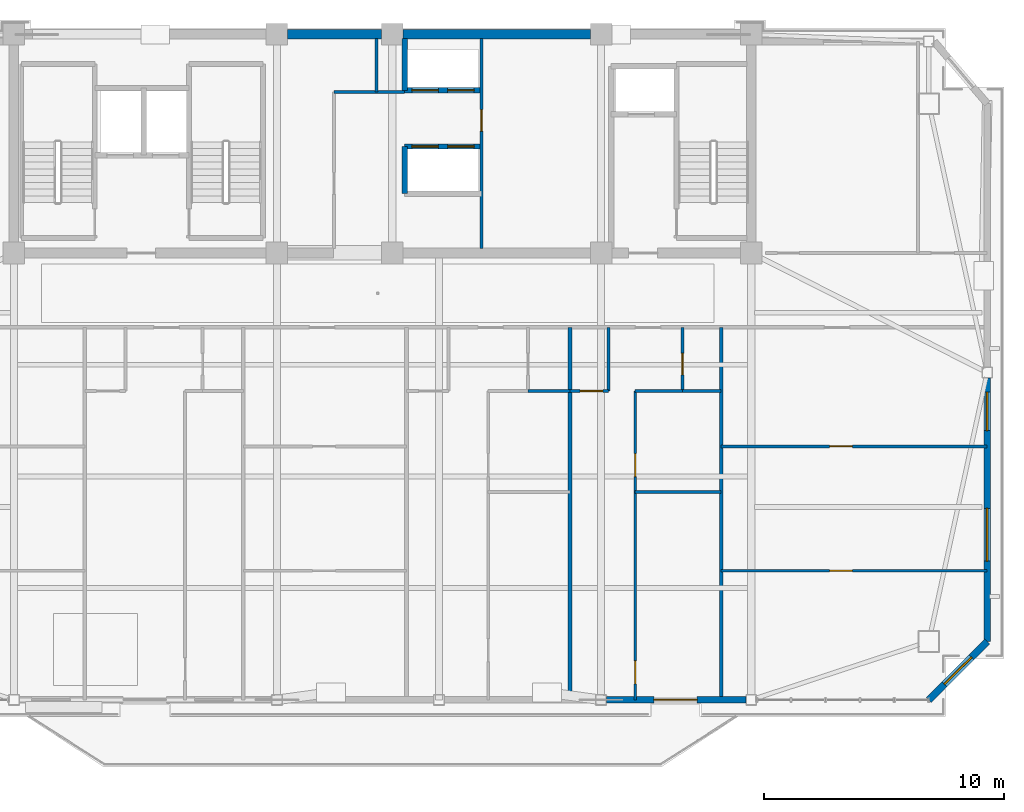
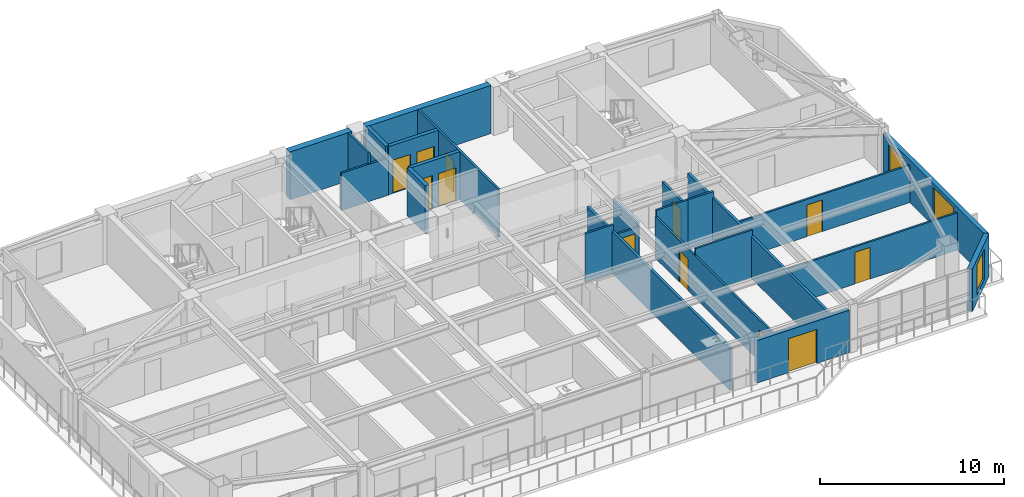
# One storey, part 9 of 15: 24 walls, 12 doors, 3 windows, 15 openings.
"""IFC4 building model written with IfcOpenShell, lengths in metres."""

import ifcopenshell
import ifcopenshell.guid

model = None  # the IFC model being written
_history = None  # IfcOwnerHistory: only IFC2X3 demands one
_inside = {}  # id of a spatial element -> (the spatial element, [elements in it])
_under = {}  # id of a project, library or spatial element -> (it, [spatial elements below it])
_declared = {}  # id of a project -> (the project, [libraries it declares])
_typed = {}  # id of a type object -> (the type object, [elements of that type])
_made_of = {}  # id of a material, layer set ... -> (it, [elements and type objects made of it])


def new_model(schema):
    """Start an empty IFC model of exactly this schema.

    Asked for "IFC4X3", IfcOpenShell would pick the latest addendum, in which some entities
    have other attributes; the version numbers below select the first issue.
    IFC2X3 requires an IfcOwnerHistory on every rooted entity: one is made here for all.
    """
    global model, _history
    if schema == "IFC4X3":
        model = ifcopenshell.file(schema_version=(4, 3, 0, 0))
    else:
        model = ifcopenshell.file(schema=schema)
    _inside.clear()
    _under.clear()
    _declared.clear()
    _typed.clear()
    _made_of.clear()
    _history = None
    if model.schema == "IFC2X3":
        org = make("IfcOrganization", Name="unknown")
        user = make(
            "IfcPersonAndOrganization",
            ThePerson=make("IfcPerson", FamilyName="unknown"),
            TheOrganization=org,
        )
        app = make(
            "IfcApplication",
            ApplicationDeveloper=org,
            Version="unknown",
            ApplicationFullName="unknown",
            ApplicationIdentifier="unknown",
        )
        _history = make(
            "IfcOwnerHistory",
            OwningUser=user,
            OwningApplication=app,
            ChangeAction="ADDED",
            CreationDate=0,
        )
    return model


def make(cls, **values):
    """One entity of the class cls with the attributes given. An attribute that is None is left unset."""
    return model.create_entity(
        cls, **{name: value for name, value in values.items() if value is not None}
    )


def rooted(cls, **values):
    """An entity with a GlobalId (a new one), such as an element, a storey or a relation."""
    return make(cls, GlobalId=ifcopenshell.guid.new(), OwnerHistory=_history, **values)


def si_unit(unit_type, name, prefix=None):
    """IfcSIUnit, for example si_unit("LENGTHUNIT", "METRE", prefix="MILLI")."""
    return make("IfcSIUnit", UnitType=unit_type, Prefix=prefix, Name=name)


def assignment(units):
    """IfcUnitAssignment: the units of a project."""
    return None if units is None else make("IfcUnitAssignment", Units=units)


def point(xyz):
    """IfcCartesianPoint."""
    return None if xyz is None else make("IfcCartesianPoint", Coordinates=xyz)


def direction(xyz):
    """IfcDirection."""
    return None if xyz is None else make("IfcDirection", DirectionRatios=xyz)


def frame(location, z_axis=None, x_axis=None):
    """IfcAxis2Placement3D, a coordinate frame: its origin and axes. An axis left out is left unset."""
    return make(
        "IfcAxis2Placement3D",
        Location=point(location),
        Axis=direction(z_axis),
        RefDirection=direction(x_axis),
    )


def frame_2d(location, x_axis=None):
    """IfcAxis2Placement2D, a coordinate frame in the plane: its origin and x axis."""
    return make(
        "IfcAxis2Placement2D", Location=point(location), RefDirection=direction(x_axis)
    )


def origin():
    """The frame at (0, 0, 0) with its axes left unset."""
    return frame((0.0, 0.0, 0.0))


def place(relative_to, where):
    """IfcLocalPlacement: puts the frame where relative to a parent placement (None: the world)."""
    return make(
        "IfcLocalPlacement", PlacementRelTo=relative_to, RelativePlacement=where
    )


def context(
    kind, dimensions, precision=None, world=None, true_north=None, identifier=None
):
    """IfcGeometricRepresentationContext, for example the 3D "Model" context."""
    return make(
        "IfcGeometricRepresentationContext",
        ContextIdentifier=identifier,
        ContextType=kind,
        CoordinateSpaceDimension=dimensions,
        Precision=precision,
        WorldCoordinateSystem=world,
        TrueNorth=true_north,
    )


def subcontext(parent, identifier, kind, view, scale=None):
    """IfcGeometricRepresentationSubContext, for example "Body" below "Model"."""
    return make(
        "IfcGeometricRepresentationSubContext",
        ContextIdentifier=identifier,
        ContextType=kind,
        ParentContext=parent,
        TargetScale=scale,
        TargetView=view,
    )


def project(units=None, contexts=None):
    """IfcProject with its units and contexts."""
    return rooted(
        "IfcProject",
        Name="project",
        RepresentationContexts=contexts,
        UnitsInContext=assignment(units),
    )


def spatial(cls, under=None, at=None, **own):
    """A site, building, storey or space (cls), placed at a placement, below another one or the project."""
    s = rooted(cls, ObjectPlacement=at, **own)
    if under is not None:
        _under.setdefault(under.id(), (under, []))[1].append(s)
    return s


def profile(cls, at=None, kind="AREA", **sizes):
    """A parametric profile (cls). Its sizes go by their IFC names, for example OverallWidth=200.0."""
    return make(cls, ProfileType=kind, Position=at, **sizes)


def rectangle(**sizes):
    """IfcRectangleProfileDef."""
    return profile("IfcRectangleProfileDef", **sizes)


def extrude(swept, where, along, depth):
    """IfcExtrudedAreaSolid: the profile swept, set in the frame where, extruded along a direction by depth."""
    return make(
        "IfcExtrudedAreaSolid",
        SweptArea=swept,
        Position=where,
        ExtrudedDirection=direction(along),
        Depth=depth,
    )


def shape(context_of_items, identifier, shape_type, items):
    """IfcShapeRepresentation: the items that make up one representation, for example the "Body"."""
    return make(
        "IfcShapeRepresentation",
        ContextOfItems=context_of_items,
        RepresentationIdentifier=identifier,
        RepresentationType=shape_type,
        Items=items,
    )


def source(mapping_origin, context_of_items, identifier, shape_type, items):
    """IfcRepresentationMap: a shape defined once, which mapped items show again and again."""
    return make(
        "IfcRepresentationMap",
        MappingOrigin=mapping_origin,
        MappedRepresentation=shape(context_of_items, identifier, shape_type, items),
    )


def transform(
    local_origin,
    x_axis=None,
    y_axis=None,
    z_axis=None,
    scale=None,
    scale2=None,
    scale3=None,
    uniform=True,
):
    """IfcCartesianTransformationOperator3D, or its non-uniform kind. x_axis, y_axis, z_axis: its Axis1, 2, 3."""
    if uniform:
        return make(
            "IfcCartesianTransformationOperator3D",
            Axis1=direction(x_axis),
            Axis2=direction(y_axis),
            LocalOrigin=point(local_origin),
            Scale=scale,
            Axis3=direction(z_axis),
        )
    return make(
        "IfcCartesianTransformationOperator3DnonUniform",
        Axis1=direction(x_axis),
        Axis2=direction(y_axis),
        LocalOrigin=point(local_origin),
        Scale=scale,
        Axis3=direction(z_axis),
        Scale2=scale2,
        Scale3=scale3,
    )


def mapped(mapping_source, mapping_target):
    """IfcMappedItem: shows the shape of a source again, moved by a transform."""
    return make(
        "IfcMappedItem", MappingSource=mapping_source, MappingTarget=mapping_target
    )


def material(Name=None, Category=None):
    """IfcMaterial."""
    return make("IfcMaterial", Name=Name, Category=Category)


def layer(
    of_material, thickness, ventilated=None, Name=None, Category=None, Priority=None
):
    """IfcMaterialLayer: one layer of a wall or slab, of a material (None: an air gap)."""
    return make(
        "IfcMaterialLayer",
        Material=of_material,
        LayerThickness=thickness,
        IsVentilated=ventilated,
        Name=Name,
        Category=Category,
        Priority=Priority,
    )


def layer_set(layers, Name=None):
    """IfcMaterialLayerSet."""
    return make("IfcMaterialLayerSet", MaterialLayers=layers, LayerSetName=Name)


def made_of(thing, what):
    """Note that an element or type object is made of a material, layer set ...; save() writes the relation."""
    if what is not None:
        _made_of.setdefault(what.id(), (what, []))[1].append(thing)
    return thing


def type_object(cls, material=None, **own):
    """A type object (cls), such as IfcWallType, which elements share."""
    return made_of(rooted(cls, **own), material)


def element(
    cls,
    number,
    at=None,
    inside=None,
    cuts=None,
    type_object=None,
    material=None,
    context=None,
    identifier="Body",
    shape_type=None,
    held_by="IfcProductDefinitionShape",
    body=None,
    shapes=None,
    **own,
):
    """One element of the class cls, such as IfcWall. Its Tag is "e" and its number.

    at: its placement. inside: the storey or other place that contains it. cuts: it is an
    opening in that element (IfcRelVoidsElement). A single representation is given by context,
    identifier, shape_type and body (its items); several are given by shapes. held_by: the class
    of the entity that holds the representations. save() writes the other relations.
    """
    e = rooted(cls, Tag="e%d" % number, ObjectPlacement=at, **own)
    if body is not None:
        shapes = [shape(context, identifier, shape_type, body)]
    if shapes is not None:
        e.Representation = make(held_by, Representations=shapes)
    if inside is not None:
        _inside.setdefault(inside.id(), (inside, []))[1].append(e)
    if cuts is not None:
        rooted(
            "IfcRelVoidsElement", RelatingBuildingElement=cuts, RelatedOpeningElement=e
        )
    if type_object is not None:
        _typed.setdefault(type_object.id(), (type_object, []))[1].append(e)
    return made_of(e, material)


def fill(opening, filler):
    """IfcRelFillsElement: the door or window that sits in an opening."""
    return rooted(
        "IfcRelFillsElement",
        RelatingOpeningElement=opening,
        RelatedBuildingElement=filler,
    )


def aggregate(whole, parts):
    """IfcRelAggregates: a whole, such as a stair, and the parts it consists of."""
    return rooted("IfcRelAggregates", RelatingObject=whole, RelatedObjects=parts)


def save(model, path):
    """Write the relations noted so far, then the file.

    IfcRelAggregates (storeys below a building ...), IfcRelContainedInSpatialStructure (elements
    in a storey), IfcRelDefinesByType, IfcRelAssociatesMaterial and IfcRelDeclares: one each for
    every whole, place, type object, material and project.
    """
    for whole, parts in _under.values():
        aggregate(whole, parts)
    for where, things in _inside.values():
        rooted(
            "IfcRelContainedInSpatialStructure",
            RelatedElements=things,
            RelatingStructure=where,
        )
    for kind, things in _typed.values():
        rooted("IfcRelDefinesByType", RelatedObjects=things, RelatingType=kind)
    for what, things in _made_of.values():
        rooted("IfcRelAssociatesMaterial", RelatedObjects=things, RelatingMaterial=what)
    for by, libraries in _declared.values():
        rooted("IfcRelDeclares", RelatingContext=by, RelatedDefinitions=libraries)
    model.write(path)


model = new_model("IFC4")

# Units and contexts
model_context = context("Model", 3, precision=1e-05, world=origin(), true_north=direction((0.0, 1.0)))
body_context = subcontext(model_context, "Body", "Model", "MODEL_VIEW")
ifc_project = project(units=[si_unit("LENGTHUNIT", "METRE"), si_unit("AREAUNIT", "SQUARE_METRE"), si_unit("VOLUMEUNIT", "CUBIC_METRE"), si_unit("PLANEANGLEUNIT", "RADIAN"), si_unit("MASSUNIT", "GRAM", prefix="KILO")], contexts=[model_context])

# Site, building, storey
site_placement = place(None, origin())
site = spatial("IfcSite", under=ifc_project, at=site_placement, CompositionType="ELEMENT")
building_placement = place(site_placement, origin())
building = spatial("IfcBuilding", under=site, at=building_placement, Name="Giltprow Tower", CompositionType="ELEMENT")
storey_placement = place(building_placement, frame((0.0, 0.0, 293.800048828125)))
storey = spatial("IfcBuildingStorey", under=building, at=storey_placement, Name="L75", CompositionType="ELEMENT", Elevation=293.800048828125)

# Wall, opening, window
ifc_material_1 = material(Name="Precast concrete C40", Category="concrete")
ifc_layer_1 = layer(ifc_material_1, 0.300048828125, Name="Precast concrete C40")
ifc_layer_set_1 = layer_set([ifc_layer_1], Name="Precast concrete C40")
wall_type_1 = type_object("IfcWallType", Name="EW-NOTCH-CHAMFER-300", PredefinedType="SOLIDWALL", material=ifc_layer_set_1)
wall_1_placement = place(storey_placement, frame((57.945068359375, 18.841064453125, 0.0), z_axis=(0.0, 0.0, 1.0), x_axis=(0.707106781187, 0.707106781187, 0.0)))
wall_1 = element("IfcWall", 1, at=wall_1_placement, inside=storey, type_object=wall_type_1, Name="L75 Corner Notch Wall SE", PredefinedType="SOLIDWALL", context=body_context, shape_type="SweptSolid", body=[
    extrude(rectangle(XDim=3.437744140625, YDim=0.300048828125, at=frame_2d((1.71875, 0.0))), origin(), (0.0, 0.0, 1.0), 2.81494140625),
])
opening_1_placement = place(wall_1_placement, frame((0.9189453125, 0.0, 0.449951171875)))
opening_1 = element("IfcOpeningElement", 2, at=opening_1_placement, cuts=wall_1, Name="Opening WN17", PredefinedType="OPENING", context=body_context, shape_type="SweptSolid", body=[
    extrude(rectangle(XDim=1.60009765625, YDim=2.0, at=frame_2d((0.800048828125, 1.0))), frame((0.0, 0.159912109375, 0.0), z_axis=(0.0, -1.0, 0.0), x_axis=(1.0, 0.0, 0.0)), (0.0, 0.0, 1.0), 0.320068359375),
])
ifc_material_2 = material(Name="Insulated glass", Category="glass")
window_type_1 = type_object("IfcWindowType", Name="WN-COR-1600x2000", PartitioningType="SINGLE_PANEL", PredefinedType="WINDOW", material=ifc_material_2)
shared_shape_1 = source(origin(), body_context, "Body", "SweptSolid", [
    extrude(rectangle(XDim=1.60009765625, YDim=2.0, at=frame_2d((0.800048828125, 1.0))), frame((0.0, 0.030029296875, 0.0), z_axis=(0.0, -1.0, 0.0), x_axis=(1.0, 0.0, 0.0)), (0.0, 0.0, 1.0), 0.06005859375),
])
window_1_placement = place(opening_1_placement, origin())
window_1 = element("IfcWindow", 3, at=window_1_placement, inside=storey, type_object=window_type_1, Name="L75 Corner Notch Window SE", OverallHeight=2.0, OverallWidth=1.60009765625, PartitioningType="SINGLE_PANEL", PredefinedType="WINDOW", context=body_context, shape_type="MappedRepresentation", body=[
    mapped(shared_shape_1, transform((0.0, 0.0, 0.0), x_axis=(1.0, 0.0, 0.0), y_axis=(0.0, 1.0, 0.0), z_axis=(0.0, 0.0, 1.0), scale=1.0)),
])
fill(opening_1, window_1)

# Wall, opening, door
ifc_layer_2 = layer(ifc_material_1, 0.280029296875, Name="Precast concrete C40")
ifc_layer_set_2 = layer_set([ifc_layer_2], Name="Precast concrete C40")
wall_type_2 = type_object("IfcWallType", Name="EW-TOW-BRONZE-280", PredefinedType="SOLIDWALL", material=ifc_layer_set_2)
wall_2_placement = place(storey_placement, frame((44.52490234375, 18.841064453125, 0.0), z_axis=(0.0, 0.0, 1.0), x_axis=(1.0, 0.0, 0.0)))
wall_2 = element("IfcWall", 4, at=wall_2_placement, inside=storey, type_object=wall_type_2, Name="L75 South Expressed Frame Wall 5", PredefinedType="SOLIDWALL", context=body_context, shape_type="SweptSolid", body=[
    extrude(rectangle(XDim=5.800048828125, YDim=0.280029296875, at=frame_2d((2.89990234375, 0.0))), origin(), (0.0, 0.0, 1.0), 2.81494140625),
])
opening_2_placement = place(wall_2_placement, frame((1.97509765625, 0.0, 0.0)))
opening_2 = element("IfcOpeningElement", 5, at=opening_2_placement, cuts=wall_2, Name="Opening ED25", PredefinedType="OPENING", context=body_context, shape_type="SweptSolid", body=[
    extrude(rectangle(XDim=1.800048828125, YDim=2.25, at=frame_2d((0.89990234375, 1.125))), frame((0.0, 0.14990234375, 0.0), z_axis=(0.0, -1.0, 0.0), x_axis=(1.0, 0.0, 0.0)), (0.0, 0.0, 1.0), 0.300048828125),
])
ifc_material_3 = material(Name="Anodized bronze and glass", Category="glass")
door_type_1 = type_object("IfcDoorType", Name="DR-BALC-SLIDE-1800", OperationType="SLIDING_TO_LEFT", PredefinedType="DOOR", material=ifc_material_3)
shared_shape_2 = source(origin(), body_context, "Body", "SweptSolid", [
    extrude(rectangle(XDim=1.800048828125, YDim=2.25, at=frame_2d((0.89990234375, 1.125))), frame((0.0, 0.02490234375, 0.0), z_axis=(0.0, -1.0, 0.0), x_axis=(1.0, 0.0, 0.0)), (0.0, 0.0, 1.0), 0.050048828125),
])
door_1_placement = place(opening_2_placement, origin())
door_1 = element("IfcDoor", 6, at=door_1_placement, inside=storey, type_object=door_type_1, Name="L75 Waterfront Balcony Sliding Door 2", OperationType="SLIDING_TO_LEFT", OverallHeight=2.25, OverallWidth=1.800048828125, PredefinedType="DOOR", context=body_context, shape_type="MappedRepresentation", body=[
    mapped(shared_shape_2, transform((0.0, 0.0, 0.0), x_axis=(1.0, 0.0, 0.0), y_axis=(0.0, 1.0, 0.0), z_axis=(0.0, 0.0, 1.0), scale=1.0)),
])
fill(opening_2, door_1)

# Wall, openings, windows
wall_3_placement = place(storey_placement, frame((60.3759765625, 21.27197265625, 0.0), z_axis=(0.0, 0.0, 1.0), x_axis=(0.0, 1.0, 0.0)))
wall_3 = element("IfcWall", 7, at=wall_3_placement, inside=storey, type_object=wall_type_2, Name="L75 E Wing Masonry Wall 1", PredefinedType="SOLIDWALL", context=body_context, shape_type="SweptSolid", body=[
    extrude(rectangle(XDim=10.97412109375, YDim=0.280029296875, at=frame_2d((5.487060546875, 0.0))), origin(), (0.0, 0.0, 1.0), 2.81494140625),
])
opening_3_placement = place(wall_3_placement, frame((3.346923828125, 0.0, 0.449951171875)))
opening_3 = element("IfcOpeningElement", 8, at=opening_3_placement, cuts=wall_3, Name="Opening WN27", PredefinedType="OPENING", context=body_context, shape_type="SweptSolid", body=[
    extrude(rectangle(XDim=2.199951171875, YDim=2.10009765625, at=frame_2d((1.10009765625, 1.050048828125))), frame((0.0, 0.14990234375, 0.0), z_axis=(0.0, -1.0, 0.0), x_axis=(1.0, 0.0, 0.0)), (0.0, 0.0, 1.0), 0.300048828125),
])
opening_4_placement = place(wall_3_placement, frame((8.783935546875, 0.0, 0.449951171875)))
opening_4 = element("IfcOpeningElement", 9, at=opening_4_placement, cuts=wall_3, Name="Opening WN17", PredefinedType="OPENING", context=body_context, shape_type="SweptSolid", body=[
    extrude(rectangle(XDim=1.60009765625, YDim=2.0, at=frame_2d((0.800048828125, 1.0))), frame((0.0, 0.14990234375, 0.0), z_axis=(0.0, -1.0, 0.0), x_axis=(1.0, 0.0, 0.0)), (0.0, 0.0, 1.0), 0.300048828125),
])
window_2_placement = place(opening_4_placement, origin())
window_2 = element("IfcWindow", 10, at=window_2_placement, inside=storey, type_object=window_type_1, Name="L75 E Wing Window 1-1B", OverallHeight=2.0, OverallWidth=1.60009765625, PartitioningType="SINGLE_PANEL", PredefinedType="WINDOW", context=body_context, shape_type="MappedRepresentation", body=[
    mapped(shared_shape_1, transform((0.0, 0.0, 0.0), x_axis=(1.0, 0.0, 0.0), y_axis=(0.0, 1.0, 0.0), z_axis=(0.0, 0.0, 1.0), scale=1.0)),
])
fill(opening_4, window_2)
window_type_2 = type_object("IfcWindowType", Name="WN-RES-2200x2100", PartitioningType="TRIPLE_PANEL_VERTICAL", PredefinedType="WINDOW", material=ifc_material_2)
shared_shape_3 = source(origin(), body_context, "Body", "SweptSolid", [
    extrude(rectangle(XDim=2.199951171875, YDim=2.10009765625, at=frame_2d((1.10009765625, 1.050048828125))), frame((0.0, 0.030029296875, 0.0), z_axis=(0.0, -1.0, 0.0), x_axis=(1.0, 0.0, 0.0)), (0.0, 0.0, 1.0), 0.06005859375),
])
window_3_placement = place(opening_3_placement, origin())
window_3 = element("IfcWindow", 11, at=window_3_placement, inside=storey, type_object=window_type_2, Name="L75 E Wing Window 1-1A", OverallHeight=2.10009765625, OverallWidth=2.199951171875, PartitioningType="SINGLE_PANEL", PredefinedType="WINDOW", context=body_context, shape_type="MappedRepresentation", body=[
    mapped(shared_shape_3, transform((0.0, 0.0, 0.0), x_axis=(1.0, 0.0, 0.0), y_axis=(0.0, 1.0, 0.0), z_axis=(0.0, 0.0, 1.0), scale=1.0)),
])
fill(opening_3, window_3)

# Walls
ifc_material_4 = material(Name="Gypsum stud partition", Category="gypsum")
ifc_layer_3 = layer(ifc_material_4, 0.159912109375, Name="Gypsum stud partition")
ifc_layer_set_3 = layer_set([ifc_layer_3], Name="Gypsum stud partition")
wall_type_3 = type_object("IfcWallType", Name="IW-DEMISE-160", PredefinedType="PARTITIONING", material=ifc_layer_set_3)
for number, where, z_axis, x_axis, name in (
    (12, (43.0, 18.841064453125, 0.0), (0.0, 0.0, 1.0), (0.0, 1.0, 0.0), "L75 Apartment Party Wall 4"),
    (13, (49.300048828125, 18.841064453125, 0.0), (0.0, 0.0, 1.0), (0.0, 1.0, 0.0), "L75 Apartment Party Wall 5"),
):
    element("IfcWall", number, at=place(storey_placement, frame(where, z_axis=z_axis, x_axis=x_axis)), inside=storey, type_object=wall_type_3, Name=name, PredefinedType="PARTITIONING", context=body_context, shape_type="SweptSolid", body=[
        extrude(rectangle(XDim=15.509033203125, YDim=0.159912109375, at=frame_2d((7.75439453125, 0.0))), origin(), (0.0, 0.0, 1.0), 2.77001953125),
    ])
ifc_layer_4 = layer(ifc_material_4, 0.1201171875, Name="Gypsum stud partition")
ifc_layer_set_4 = layer_set([ifc_layer_4], Name="Gypsum stud partition")
wall_type_4 = type_object("IfcWallType", Name="IW-ROOM-120", PredefinedType="PARTITIONING", material=ifc_layer_set_4)
wall_4_placement = place(storey_placement, frame((45.719970703125, 31.699951171875, 0.0), z_axis=(0.0, 0.0, 1.0), x_axis=(1.0, 0.0, 0.0)))
element("IfcWall", 14, at=wall_4_placement, inside=storey, type_object=wall_type_4, Name="L75 Unit 3 Bedroom North Wall", PredefinedType="PARTITIONING", context=body_context, shape_type="SweptSolid", body=[
    extrude(rectangle(XDim=1.965087890625, YDim=0.1201171875, at=frame_2d((0.982421875, 0.0))), origin(), (0.0, 0.0, 1.0), 3.18505859375),
])

# Wall, openings, doors
wall_5_placement = place(storey_placement, frame((45.719970703125, 18.841064453125, 0.0), z_axis=(0.0, 0.0, 1.0), x_axis=(0.0, 1.0, 0.0)))
wall_5 = element("IfcWall", 15, at=wall_5_placement, inside=storey, type_object=wall_type_4, Name="L75 Unit 3 Bedroom Wall", PredefinedType="PARTITIONING", context=body_context, shape_type="SweptSolid", body=[
    extrude(rectangle(XDim=12.85888671875, YDim=0.1201171875, at=frame_2d((6.429443359375, 0.0))), origin(), (0.0, 0.0, 1.0), 2.77001953125),
])
opening_5_placement = place(wall_5_placement, frame((0.669921875, 0.0, 0.0)))
opening_5 = element("IfcOpeningElement", 16, at=opening_5_placement, cuts=wall_5, Name="Opening ID11", PredefinedType="OPENING", context=body_context, shape_type="SweptSolid", body=[
    extrude(rectangle(XDim=0.949951171875, YDim=2.10009765625, at=frame_2d((0.47509765625, 1.050048828125))), frame((0.0, 0.070068359375, 0.0), z_axis=(0.0, -1.0, 0.0), x_axis=(1.0, 0.0, 0.0)), (0.0, 0.0, 1.0), 0.14013671875),
])
opening_6_placement = place(wall_5_placement, frame((9.299072265625, 0.0, 0.0)))
opening_6 = element("IfcOpeningElement", 17, at=opening_6_placement, cuts=wall_5, Name="Opening ID11", PredefinedType="OPENING", context=body_context, shape_type="SweptSolid", body=[
    extrude(rectangle(XDim=0.949951171875, YDim=2.10009765625, at=frame_2d((0.47509765625, 1.050048828125))), frame((0.0, 0.070068359375, 0.0), z_axis=(0.0, -1.0, 0.0), x_axis=(1.0, 0.0, 0.0)), (0.0, 0.0, 1.0), 0.14013671875),
])
ifc_material_5 = material(Name="Engineered timber", Category="wood")
door_type_2 = type_object("IfcDoorType", Name="DR-ROOM-950", OperationType="SINGLE_SWING_RIGHT", PredefinedType="DOOR", material=ifc_material_5)
shared_shape_4 = source(origin(), body_context, "Body", "SweptSolid", [
    extrude(rectangle(XDim=0.949951171875, YDim=2.10009765625, at=frame_2d((0.47509765625, 1.050048828125))), frame((0.0, 0.02490234375, 0.0), z_axis=(0.0, -1.0, 0.0), x_axis=(1.0, 0.0, 0.0)), (0.0, 0.0, 1.0), 0.050048828125),
])
door_2_placement = place(opening_5_placement, origin())
door_2 = element("IfcDoor", 18, at=door_2_placement, inside=storey, type_object=door_type_2, Name="L75 Unit 3 Primary Bedroom Door", OperationType="SINGLE_SWING_LEFT", OverallHeight=2.10009765625, OverallWidth=0.949951171875, PredefinedType="DOOR", context=body_context, shape_type="MappedRepresentation", body=[
    mapped(shared_shape_4, transform((0.0, 0.0, 0.0), x_axis=(1.0, 0.0, 0.0), y_axis=(0.0, 1.0, 0.0), z_axis=(0.0, 0.0, 1.0), scale=1.0)),
])
fill(opening_5, door_2)
door_3_placement = place(opening_6_placement, origin())
door_3 = element("IfcDoor", 19, at=door_3_placement, inside=storey, type_object=door_type_2, Name="L75 Unit 3 Second Bedroom Door", OperationType="SINGLE_SWING_RIGHT", OverallHeight=2.10009765625, OverallWidth=0.949951171875, PredefinedType="DOOR", context=body_context, shape_type="MappedRepresentation", body=[
    mapped(shared_shape_4, transform((0.0, 0.0, 0.0), x_axis=(1.0, 0.0, 0.0), y_axis=(0.0, 1.0, 0.0), z_axis=(0.0, 0.0, 1.0), scale=1.0)),
])
fill(opening_6, door_3)

# Wall
wall_6_placement = place(storey_placement, frame((45.719970703125, 27.5, 0.0), z_axis=(0.0, 0.0, 1.0), x_axis=(1.0, 0.0, 0.0)))
element("IfcWall", 20, at=wall_6_placement, inside=storey, type_object=wall_type_4, Name="L75 Unit 3 Second Bedroom Wall", PredefinedType="PARTITIONING", context=body_context, shape_type="SweptSolid", body=[
    extrude(rectangle(XDim=3.580078125, YDim=0.1201171875, at=frame_2d((1.7900390625, 0.0))), origin(), (0.0, 0.0, 1.0), 3.18505859375),
])

# Wall, opening, door
wall_7_placement = place(storey_placement, frame((49.300048828125, 24.218994140625, 0.0), z_axis=(0.0, 0.0, 1.0), x_axis=(1.0, 0.0, 0.0)))
wall_7 = element("IfcWall", 21, at=wall_7_placement, inside=storey, type_object=wall_type_4, Name="L75 Special Split 1", PredefinedType="PARTITIONING", context=body_context, shape_type="SweptSolid", body=[
    extrude(rectangle(XDim=11.075927734375, YDim=0.1201171875, at=frame_2d((5.5380859375, 0.0))), origin(), (0.0, 0.0, 1.0), 2.469970703125),
])
opening_7_placement = place(wall_7_placement, frame((4.51611328125, 0.0, 0.0)))
opening_7 = element("IfcOpeningElement", 22, at=opening_7_placement, cuts=wall_7, Name="Opening ID11", PredefinedType="OPENING", context=body_context, shape_type="SweptSolid", body=[
    extrude(rectangle(XDim=0.949951171875, YDim=2.10009765625, at=frame_2d((0.47509765625, 1.050048828125))), frame((0.0, 0.070068359375, 0.0), z_axis=(0.0, -1.0, 0.0), x_axis=(1.0, 0.0, 0.0)), (0.0, 0.0, 1.0), 0.14013671875),
])
door_4_placement = place(opening_7_placement, origin())
door_4 = element("IfcDoor", 23, at=door_4_placement, inside=storey, type_object=door_type_2, Name="L75 Sky Yoga Gym 3 South Door", OperationType="SINGLE_SWING_LEFT", OverallHeight=2.10009765625, OverallWidth=0.949951171875, PredefinedType="DOOR", context=body_context, shape_type="MappedRepresentation", body=[
    mapped(shared_shape_4, transform((0.0, 0.0, 0.0), x_axis=(1.0, 0.0, 0.0), y_axis=(0.0, 1.0, 0.0), z_axis=(0.0, 0.0, 1.0), scale=1.0)),
])
fill(opening_7, door_4)

wall_8_placement = place(storey_placement, frame((49.300048828125, 29.39697265625, 0.0), z_axis=(0.0, 0.0, 1.0), x_axis=(1.0, 0.0, 0.0)))
wall_8 = element("IfcWall", 24, at=wall_8_placement, inside=storey, type_object=wall_type_4, Name="L75 Special Split 2", PredefinedType="PARTITIONING", context=body_context, shape_type="SweptSolid", body=[
    extrude(rectangle(XDim=11.075927734375, YDim=0.1201171875, at=frame_2d((5.5380859375, 0.0))), origin(), (0.0, 0.0, 1.0), 2.469970703125),
])
opening_8_placement = place(wall_8_placement, frame((4.51611328125, 0.0, 0.0)))
opening_8 = element("IfcOpeningElement", 25, at=opening_8_placement, cuts=wall_8, Name="Opening ID11", PredefinedType="OPENING", context=body_context, shape_type="SweptSolid", body=[
    extrude(rectangle(XDim=0.949951171875, YDim=2.10009765625, at=frame_2d((0.47509765625, 1.050048828125))), frame((0.0, 0.070068359375, 0.0), z_axis=(0.0, -1.0, 0.0), x_axis=(1.0, 0.0, 0.0)), (0.0, 0.0, 1.0), 0.14013671875),
])
door_5_placement = place(opening_8_placement, origin())
door_5 = element("IfcDoor", 26, at=door_5_placement, inside=storey, type_object=door_type_2, Name="L75 Sky Yoga Gym 3 Mid Door", OperationType="SINGLE_SWING_RIGHT", OverallHeight=2.10009765625, OverallWidth=0.949951171875, PredefinedType="DOOR", context=body_context, shape_type="MappedRepresentation", body=[
    mapped(shared_shape_4, transform((0.0, 0.0, 0.0), x_axis=(1.0, 0.0, 0.0), y_axis=(0.0, 1.0, 0.0), z_axis=(0.0, 0.0, 1.0), scale=1.0)),
])
fill(opening_8, door_5)

# Wall, openings, doors
ifc_material_6 = material(Name="Concrete C40", Category="concrete")
ifc_layer_5 = layer(ifc_material_6, 0.219970703125, Name="Concrete C40")
ifc_layer_set_5 = layer_set([ifc_layer_5], Name="Concrete C40")
wall_type_5 = type_object("IfcWallType", Name="IW-SHAFT-220", PredefinedType="SOLIDWALL", material=ifc_layer_set_5)
wall_9_placement = place(storey_placement, frame((36.1201171875, 44.219970703125, 0.0), z_axis=(0.0, 0.0, 1.0), x_axis=(1.0, 0.0, 0.0)))
wall_9 = element("IfcWall", 27, at=wall_9_placement, inside=storey, type_object=wall_type_5, Name="L75 High-Rise Lift Shaft Front Wall N", PredefinedType="SOLIDWALL", context=body_context, shape_type="SweptSolid", body=[
    extrude(rectangle(XDim=3.199951171875, YDim=0.219970703125, at=frame_2d((1.60009765625, 0.0))), origin(), (0.0, 0.0, 1.0), 3.18505859375),
])
opening_9_placement = place(wall_9_placement, frame((0.300048828125, 0.0, 0.0)))
opening_9 = element("IfcOpeningElement", 28, at=opening_9_placement, cuts=wall_9, Name="Opening LD-11", PredefinedType="OPENING", context=body_context, shape_type="SweptSolid", body=[
    extrude(rectangle(XDim=1.10009765625, YDim=2.199951171875, at=frame_2d((0.550048828125, 1.10009765625))), frame((0.0, 0.119873046875, 0.0), z_axis=(0.0, -1.0, 0.0), x_axis=(1.0, 0.0, 0.0)), (0.0, 0.0, 1.0), 0.239990234375),
])
opening_10_placement = place(wall_9_placement, frame((1.7900390625, 0.0, 0.0)))
opening_10 = element("IfcOpeningElement", 29, at=opening_10_placement, cuts=wall_9, Name="Opening LD-11", PredefinedType="OPENING", context=body_context, shape_type="SweptSolid", body=[
    extrude(rectangle(XDim=1.10009765625, YDim=2.199951171875, at=frame_2d((0.550048828125, 1.10009765625))), frame((0.0, 0.119873046875, 0.0), z_axis=(0.0, -1.0, 0.0), x_axis=(1.0, 0.0, 0.0)), (0.0, 0.0, 1.0), 0.239990234375),
])
ifc_material_7 = material(Name="Stainless steel", Category="steel")
door_type_3 = type_object("IfcDoorType", Name="DR-LIFT-LD1100", OperationType="SLIDING_TO_LEFT", PredefinedType="DOOR", material=ifc_material_7)
shared_shape_5 = source(origin(), body_context, "Body", "SweptSolid", [
    extrude(rectangle(XDim=1.10009765625, YDim=2.199951171875, at=frame_2d((0.550048828125, 1.10009765625))), frame((0.0, 0.02490234375, 0.0), z_axis=(0.0, -1.0, 0.0), x_axis=(1.0, 0.0, 0.0)), (0.0, 0.0, 1.0), 0.050048828125),
])
door_6_placement = place(opening_9_placement, origin())
door_6 = element("IfcDoor", 30, at=door_6_placement, inside=storey, type_object=door_type_3, Name="L75 PL-H1 Landing Door", OperationType="SLIDING_TO_LEFT", OverallHeight=2.199951171875, OverallWidth=1.10009765625, PredefinedType="DOOR", context=body_context, shape_type="MappedRepresentation", body=[
    mapped(shared_shape_5, transform((0.0, 0.0, 0.0), x_axis=(1.0, 0.0, 0.0), y_axis=(0.0, 1.0, 0.0), z_axis=(0.0, 0.0, 1.0), scale=1.0)),
])
fill(opening_9, door_6)
door_7_placement = place(opening_10_placement, origin())
door_7 = element("IfcDoor", 31, at=door_7_placement, inside=storey, type_object=door_type_3, Name="L75 PL-H2 Landing Door", OperationType="SLIDING_TO_LEFT", OverallHeight=2.199951171875, OverallWidth=1.10009765625, PredefinedType="DOOR", context=body_context, shape_type="MappedRepresentation", body=[
    mapped(shared_shape_5, transform((0.0, 0.0, 0.0), x_axis=(1.0, 0.0, 0.0), y_axis=(0.0, 1.0, 0.0), z_axis=(0.0, 0.0, 1.0), scale=1.0)),
])
fill(opening_10, door_7)

wall_10_placement = place(storey_placement, frame((36.1201171875, 41.8798828125, 0.0), z_axis=(0.0, 0.0, 1.0), x_axis=(1.0, 0.0, 0.0)))
wall_10 = element("IfcWall", 32, at=wall_10_placement, inside=storey, type_object=wall_type_5, Name="L75 High-Rise Lift Shaft Front Wall S", PredefinedType="SOLIDWALL", context=body_context, shape_type="SweptSolid", body=[
    extrude(rectangle(XDim=3.199951171875, YDim=0.219970703125, at=frame_2d((1.60009765625, 0.0))), origin(), (0.0, 0.0, 1.0), 3.18505859375),
])
opening_11_placement = place(wall_10_placement, frame((0.300048828125, 0.0, 0.0)))
opening_11 = element("IfcOpeningElement", 33, at=opening_11_placement, cuts=wall_10, Name="Opening LD-11", PredefinedType="OPENING", context=body_context, shape_type="SweptSolid", body=[
    extrude(rectangle(XDim=1.10009765625, YDim=2.199951171875, at=frame_2d((0.550048828125, 1.10009765625))), frame((0.0, 0.119873046875, 0.0), z_axis=(0.0, -1.0, 0.0), x_axis=(1.0, 0.0, 0.0)), (0.0, 0.0, 1.0), 0.239990234375),
])
opening_12_placement = place(wall_10_placement, frame((1.7900390625, 0.0, 0.0)))
opening_12 = element("IfcOpeningElement", 34, at=opening_12_placement, cuts=wall_10, Name="Opening LD-11", PredefinedType="OPENING", context=body_context, shape_type="SweptSolid", body=[
    extrude(rectangle(XDim=1.10009765625, YDim=2.199951171875, at=frame_2d((0.550048828125, 1.10009765625))), frame((0.0, 0.119873046875, 0.0), z_axis=(0.0, -1.0, 0.0), x_axis=(1.0, 0.0, 0.0)), (0.0, 0.0, 1.0), 0.239990234375),
])
door_8_placement = place(opening_11_placement, origin())
door_8 = element("IfcDoor", 35, at=door_8_placement, inside=storey, type_object=door_type_3, Name="L75 PL-H3 Landing Door", OperationType="SLIDING_TO_LEFT", OverallHeight=2.199951171875, OverallWidth=1.10009765625, PredefinedType="DOOR", context=body_context, shape_type="MappedRepresentation", body=[
    mapped(shared_shape_5, transform((0.0, 0.0, 0.0), x_axis=(1.0, 0.0, 0.0), y_axis=(0.0, 1.0, 0.0), z_axis=(0.0, 0.0, 1.0), scale=1.0)),
])
fill(opening_11, door_8)
door_9_placement = place(opening_12_placement, origin())
door_9 = element("IfcDoor", 36, at=door_9_placement, inside=storey, type_object=door_type_3, Name="L75 PL-H4 Landing Door", OperationType="SLIDING_TO_LEFT", OverallHeight=2.199951171875, OverallWidth=1.10009765625, PredefinedType="DOOR", context=body_context, shape_type="MappedRepresentation", body=[
    mapped(shared_shape_5, transform((0.0, 0.0, 0.0), x_axis=(1.0, 0.0, 0.0), y_axis=(0.0, 1.0, 0.0), z_axis=(0.0, 0.0, 1.0), scale=1.0)),
])
fill(opening_12, door_9)

# Walls
wall_11_placement = place(storey_placement, frame((36.1201171875, 39.919921875, 0.0), z_axis=(0.0, 0.0, 1.0), x_axis=(0.0, 1.0, 0.0)))
element("IfcWall", 37, at=wall_11_placement, inside=storey, type_object=wall_type_5, Name="L75 High-Rise South Lift West Closure", PredefinedType="SOLIDWALL", context=body_context, shape_type="SweptSolid", body=[
    extrude(rectangle(XDim=1.9599609375, YDim=0.219970703125, at=frame_2d((0.97998046875, 0.0))), origin(), (0.0, 0.0, 1.0), 3.18505859375),
])
wall_12_placement = place(storey_placement, frame((36.1201171875, 44.219970703125, 0.0), z_axis=(0.0, 0.0, 1.0), x_axis=(0.0, 1.0, 0.0)))
element("IfcWall", 38, at=wall_12_placement, inside=storey, type_object=wall_type_5, Name="L75 High-Rise North Lift West Closure", PredefinedType="SOLIDWALL", context=body_context, shape_type="SweptSolid", body=[
    extrude(rectangle(XDim=2.150146484375, YDim=0.219970703125, at=frame_2d((1.0751953125, 0.0))), origin(), (0.0, 0.0, 1.0), 3.18505859375),
])
ifc_material_8 = material(Name="Concrete C30", Category="concrete")
ifc_layer_6 = layer(ifc_material_8, 0.1298828125, Name="Concrete C30")
ifc_layer_set_6 = layer_set([ifc_layer_6], Name="Concrete C30")
wall_type_6 = type_object("IfcWallType", Name="IW-WET-130", PredefinedType="PARTITIONING", material=ifc_layer_set_6)
wall_13_placement = place(storey_placement, frame((34.949951171875, 44.14990234375, 0.0), z_axis=(0.0, 0.0, 1.0), x_axis=(0.0, 1.0, 0.0)))
element("IfcWall", 39, at=wall_13_placement, inside=storey, type_object=wall_type_6, Name="L75 Reclaimed West Pocket Wall E", PredefinedType="PARTITIONING", context=body_context, shape_type="SweptSolid", body=[
    extrude(rectangle(XDim=2.22021484375, YDim=0.1298828125, at=frame_2d((1.110107421875, 0.0))), origin(), (0.0, 0.0, 1.0), 3.18505859375),
])
wall_14_placement = place(storey_placement, frame((33.179931640625, 44.14990234375, 0.0), z_axis=(0.0, 0.0, 1.0), x_axis=(1.0, 0.0, 0.0)))
element("IfcWall", 40, at=wall_14_placement, inside=storey, type_object=wall_type_6, Name="L75 Reclaimed West Pocket Wall S", PredefinedType="PARTITIONING", context=body_context, shape_type="SweptSolid", body=[
    extrude(rectangle(XDim=2.940185546875, YDim=0.1298828125, at=frame_2d((1.47021484375, 0.0))), origin(), (0.0, 0.0, 1.0), 2.469970703125),
])

# Wall, opening, door
wall_15_placement = place(storey_placement, frame((39.320068359375, 37.6298828125, 0.0), z_axis=(0.0, 0.0, 1.0), x_axis=(0.0, 1.0, 0.0)))
wall_15 = element("IfcWall", 41, at=wall_15_placement, inside=storey, type_object=wall_type_6, Name="L75 Reclaimed East Core Wall", PredefinedType="PARTITIONING", context=body_context, shape_type="SweptSolid", body=[
    extrude(rectangle(XDim=8.740234375, YDim=0.1298828125, at=frame_2d((4.3701171875, 0.0))), origin(), (0.0, 0.0, 1.0), 3.18505859375),
])
opening_13_placement = place(wall_15_placement, frame((4.889892578125, 0.0, 0.0)))
opening_13 = element("IfcOpeningElement", 42, at=opening_13_placement, cuts=wall_15, Name="Opening ID35", PredefinedType="OPENING", context=body_context, shape_type="SweptSolid", body=[
    extrude(rectangle(XDim=0.89990234375, YDim=2.10009765625, at=frame_2d((0.449951171875, 1.050048828125))), frame((0.0, 0.074951171875, 0.0), z_axis=(0.0, -1.0, 0.0), x_axis=(1.0, 0.0, 0.0)), (0.0, 0.0, 1.0), 0.14990234375),
])
ifc_material_9 = material(Name="Steel fire leaf", Category="steel")
door_type_4 = type_object("IfcDoorType", Name="DR-SHAFT-900", OperationType="SINGLE_SWING_LEFT", PredefinedType="DOOR", material=ifc_material_9)
shared_shape_6 = source(origin(), body_context, "Body", "SweptSolid", [
    extrude(rectangle(XDim=0.89990234375, YDim=2.10009765625, at=frame_2d((0.449951171875, 1.050048828125))), frame((0.0, 0.02490234375, 0.0), z_axis=(0.0, -1.0, 0.0), x_axis=(1.0, 0.0, 0.0)), (0.0, 0.0, 1.0), 0.050048828125),
])
door_10_placement = place(opening_13_placement, origin())
door_10 = element("IfcDoor", 43, at=door_10_placement, inside=storey, type_object=door_type_4, Name="L75 Core Concierge Parcel Store Door", OperationType="SINGLE_SWING_RIGHT", OverallHeight=2.10009765625, OverallWidth=0.89990234375, PredefinedType="DOOR", context=body_context, shape_type="MappedRepresentation", body=[
    mapped(shared_shape_6, transform((0.0, 0.0, 0.0), x_axis=(1.0, 0.0, 0.0), y_axis=(0.0, 1.0, 0.0), z_axis=(0.0, 0.0, 1.0), scale=1.0)),
])
fill(opening_13, door_10)

# Wall
wall_16_placement = place(storey_placement, frame((41.260009765625, 31.699951171875, 0.0), z_axis=(0.0, 0.0, 1.0), x_axis=(1.0, 0.0, 0.0)))
element("IfcWall", 44, at=wall_16_placement, inside=storey, type_object=wall_type_6, Name="L75 Unit 2 Bathroom South Wall", PredefinedType="PARTITIONING", context=body_context, shape_type="SweptSolid", body=[
    extrude(rectangle(XDim=1.739990234375, YDim=0.1298828125, at=frame_2d((0.8701171875, 0.0))), origin(), (0.0, 0.0, 1.0), 3.18505859375),
])

# Wall, opening, door
wall_17_placement = place(storey_placement, frame((43.0, 31.699951171875, 0.0), z_axis=(0.0, 0.0, 1.0), x_axis=(1.0, 0.0, 0.0)))
wall_17 = element("IfcWall", 45, at=wall_17_placement, inside=storey, type_object=wall_type_6, Name="L75 Unit 3 Kitchen South Wall", PredefinedType="PARTITIONING", context=body_context, shape_type="SweptSolid", body=[
    extrude(rectangle(XDim=1.614990234375, YDim=0.1298828125, at=frame_2d((0.8076171875, 0.0))), origin(), (0.0, 0.0, 1.0), 2.469970703125),
])
opening_14_placement = place(wall_17_placement, frame((0.425048828125, 0.0, 0.0)))
opening_14 = element("IfcOpeningElement", 46, at=opening_14_placement, cuts=wall_17, Name="Opening ID11", PredefinedType="OPENING", context=body_context, shape_type="SweptSolid", body=[
    extrude(rectangle(XDim=0.949951171875, YDim=2.10009765625, at=frame_2d((0.47509765625, 1.050048828125))), frame((0.0, 0.074951171875, 0.0), z_axis=(0.0, -1.0, 0.0), x_axis=(1.0, 0.0, 0.0)), (0.0, 0.0, 1.0), 0.14990234375),
])
door_11_placement = place(opening_14_placement, origin())
door_11 = element("IfcDoor", 47, at=door_11_placement, inside=storey, type_object=door_type_2, Name="L75 Unit 3 Kitchen Door", OperationType="SINGLE_SWING_LEFT", OverallHeight=2.10009765625, OverallWidth=0.949951171875, PredefinedType="DOOR", context=body_context, shape_type="MappedRepresentation", body=[
    mapped(shared_shape_4, transform((0.0, 0.0, 0.0), x_axis=(1.0, 0.0, 0.0), y_axis=(0.0, 1.0, 0.0), z_axis=(0.0, 0.0, 1.0), scale=1.0)),
])
fill(opening_14, door_11)

# Walls
wall_18_placement = place(storey_placement, frame((44.614990234375, 31.699951171875, 0.0), z_axis=(0.0, 0.0, 1.0), x_axis=(0.0, 1.0, 0.0)))
element("IfcWall", 48, at=wall_18_placement, inside=storey, type_object=wall_type_6, Name="L75 Unit 3 Kitchen East Wall", PredefinedType="PARTITIONING", context=body_context, shape_type="SweptSolid", body=[
    extrude(rectangle(XDim=2.650146484375, YDim=0.1298828125, at=frame_2d((1.3251953125, 0.0))), origin(), (0.0, 0.0, 1.0), 2.77001953125),
])
wall_19_placement = place(storey_placement, frame((47.68505859375, 31.699951171875, 0.0), z_axis=(0.0, 0.0, 1.0), x_axis=(1.0, 0.0, 0.0)))
element("IfcWall", 49, at=wall_19_placement, inside=storey, type_object=wall_type_6, Name="L75 Unit 3 Bathroom South Wall", PredefinedType="PARTITIONING", context=body_context, shape_type="SweptSolid", body=[
    extrude(rectangle(XDim=1.614990234375, YDim=0.1298828125, at=frame_2d((0.8076171875, 0.0))), origin(), (0.0, 0.0, 1.0), 3.18505859375),
])

# Wall, opening, door
wall_20_placement = place(storey_placement, frame((47.68505859375, 31.699951171875, 0.0), z_axis=(0.0, 0.0, 1.0), x_axis=(0.0, 1.0, 0.0)))
wall_20 = element("IfcWall", 50, at=wall_20_placement, inside=storey, type_object=wall_type_6, Name="L75 Unit 3 Bathroom West Wall", PredefinedType="PARTITIONING", context=body_context, shape_type="SweptSolid", body=[
    extrude(rectangle(XDim=2.650146484375, YDim=0.1298828125, at=frame_2d((1.3251953125, 0.0))), origin(), (0.0, 0.0, 1.0), 2.77001953125),
])
opening_15_placement = place(wall_20_placement, frame((0.669921875, 0.0, 0.0)))
opening_15 = element("IfcOpeningElement", 51, at=opening_15_placement, cuts=wall_20, Name="Opening ID15", PredefinedType="OPENING", context=body_context, shape_type="SweptSolid", body=[
    extrude(rectangle(XDim=0.89990234375, YDim=2.10009765625, at=frame_2d((0.449951171875, 1.050048828125))), frame((0.0, 0.074951171875, 0.0), z_axis=(0.0, -1.0, 0.0), x_axis=(1.0, 0.0, 0.0)), (0.0, 0.0, 1.0), 0.14990234375),
])
door_type_5 = type_object("IfcDoorType", Name="DR-WC-900", OperationType="SINGLE_SWING_LEFT", PredefinedType="DOOR", material=ifc_material_5)
door_12_placement = place(opening_15_placement, origin())
door_12 = element("IfcDoor", 52, at=door_12_placement, inside=storey, type_object=door_type_5, Name="L75 Unit 3 Bathroom Door", OperationType="SINGLE_SWING_RIGHT", OverallHeight=2.10009765625, OverallWidth=0.89990234375, PredefinedType="DOOR", context=body_context, shape_type="MappedRepresentation", body=[
    mapped(shared_shape_6, transform((0.0, 0.0, 0.0), x_axis=(1.0, 0.0, 0.0), y_axis=(0.0, 1.0, 0.0), z_axis=(0.0, 0.0, 1.0), scale=1.0)),
])
fill(opening_15, door_12)

# Walls
ifc_material_10 = material(Name="Concrete C45", Category="concrete")
ifc_layer_7 = layer(ifc_material_10, 0.39990234375, Name="Concrete C45")
ifc_layer_set_7 = layer_set([ifc_layer_7], Name="Concrete C45")
wall_type_7 = type_object("IfcWallType", Name="SW-EXT-400-C45", PredefinedType="SHEAR", material=ifc_layer_set_7)
wall_21_placement = place(storey_placement, frame((31.25, 46.550048828125, 0.0), z_axis=(0.0, 0.0, 1.0), x_axis=(1.0, 0.0, 0.0)))
element("IfcWall", 53, at=wall_21_placement, inside=storey, type_object=wall_type_7, Name="L75 North Rear Core Shear Wall 2", PredefinedType="SHEAR", context=body_context, shape_type="SweptSolid", body=[
    extrude(rectangle(XDim=3.89990234375, YDim=0.39990234375, at=frame_2d((1.949951171875, 0.0))), origin(), (0.0, 0.0, 1.0), 3.18505859375),
])
wall_22_placement = place(storey_placement, frame((36.050048828125, 46.550048828125, 0.0), z_axis=(0.0, 0.0, 1.0), x_axis=(1.0, 0.0, 0.0)))
element("IfcWall", 54, at=wall_22_placement, inside=storey, type_object=wall_type_7, Name="L75 North Rear Core Shear Wall 3", PredefinedType="SHEAR", context=body_context, shape_type="SweptSolid", body=[
    extrude(rectangle(XDim=7.800048828125, YDim=0.39990234375, at=frame_2d((3.89990234375, 0.0))), origin(), (0.0, 0.0, 1.0), 3.18505859375),
])

save(model, "model.ifc")
